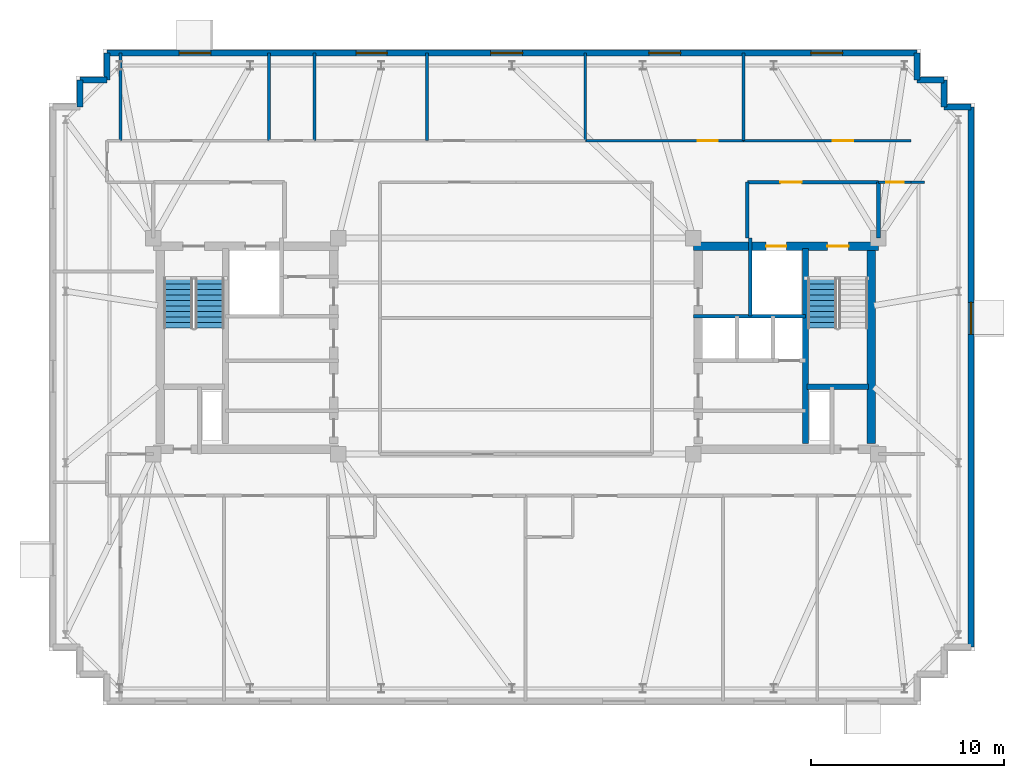
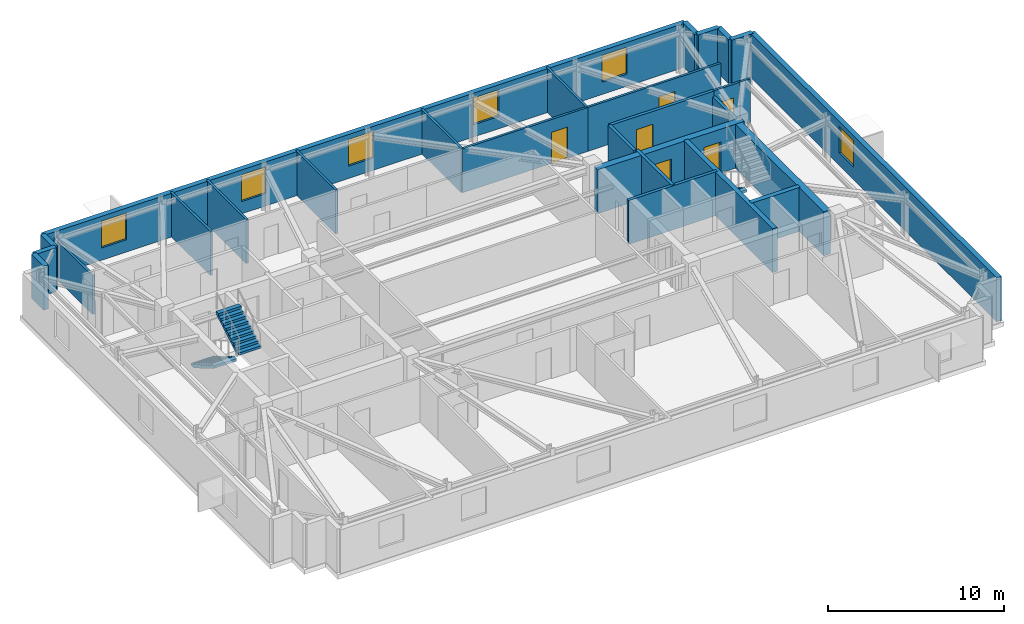
# One storey, part 8 of 11: 28 walls, 6 doors, 6 windows, 3 stair flights, 12 openings, 2 elements without a shape of their own.
"""IFC4 building model written with IfcOpenShell, lengths in metres."""

from ifc_helpers import new_model, si_unit, direction, frame, frame_2d, origin, place, context, subcontext, project, spatial, polyline, rectangle, outline, extrude, material, layer, layer_set, type_object, element, fill, aggregate, save


model = new_model("IFC4")

# Units and contexts
model_context = context("Model", 3, precision=1e-05, world=origin(), true_north=direction((0.0, 1.0)))
body_context = subcontext(model_context, "Body", "Model", "MODEL_VIEW")
ifc_project = project(units=[si_unit("LENGTHUNIT", "METRE"), si_unit("AREAUNIT", "SQUARE_METRE"), si_unit("VOLUMEUNIT", "CUBIC_METRE"), si_unit("PLANEANGLEUNIT", "RADIAN"), si_unit("MASSUNIT", "GRAM", prefix="KILO")], contexts=[model_context])

# Site, building, storey
site_placement = place(None, origin())
site = spatial("IfcSite", under=ifc_project, at=site_placement, CompositionType="ELEMENT")
building_placement = place(site_placement, origin())
building = spatial("IfcBuilding", under=site, at=building_placement, Name="Qobustan Lattice House", CompositionType="ELEMENT")
storey_placement = place(building_placement, frame((0.0, 0.0, 251.75)))
storey = spatial("IfcBuildingStorey", under=building, at=storey_placement, Name="L71", CompositionType="ELEMENT", Elevation=251.75)

# Wall, openings, doors
ifc_material_1 = material(Name="Concrete C50/60", Category="concrete")
ifc_layer_1 = layer(ifc_material_1, 0.43994140625)
ifc_layer_set_1 = layer_set([ifc_layer_1], Name="Concrete C50/60")
wall_type_1 = type_object("IfcWallType", Name="WAL-CORE-440", PredefinedType="SHEAR", material=ifc_layer_set_1)
wall_1_placement = place(storey_placement, frame((9.199951171875, 5.179931640625, 0.0), z_axis=(0.0, 0.0, 1.0), x_axis=(1.0, 0.0, 0.0)))
wall_1 = element("IfcWall", 1, at=wall_1_placement, inside=storey, type_object=wall_type_1, Name="L71 split-core shear wall CE-N", PredefinedType="SHEAR", context=body_context, shape_type="SweptSolid", body=[
    extrude(rectangle(XDim=9.60009765625, YDim=0.43994140625, at=frame_2d((4.800048828125, 0.0))), origin(), (0.0, 0.0, 1.0), 3.0400390625),
])
opening_1_placement = place(wall_1_placement, frame((6.949951171875, 0.0, 0.0)))
opening_1 = element("IfcOpeningElement", 2, at=opening_1_placement, cuts=wall_1, Name="Opening SD-01", PredefinedType="OPENING", context=body_context, shape_type="SweptSolid", body=[
    extrude(rectangle(XDim=1.10009765625, YDim=2.14990234375, at=frame_2d((0.550048828125, 1.074951171875))), frame((0.0, 0.22998046875, 0.0), z_axis=(0.0, -1.0, 0.0), x_axis=(1.0, 0.0, 0.0)), (0.0, 0.0, 1.0), 0.4599609375),
])
opening_2_placement = place(wall_1_placement, frame((3.77490234375, 0.0, 0.0)))
opening_2 = element("IfcOpeningElement", 3, at=opening_2_placement, cuts=wall_1, Name="Opening LD-01", PredefinedType="OPENING", context=body_context, shape_type="SweptSolid", body=[
    extrude(rectangle(XDim=1.050048828125, YDim=2.10009765625, at=frame_2d((0.52490234375, 1.050048828125))), frame((0.0, 0.22998046875, 0.0), z_axis=(0.0, -1.0, 0.0), x_axis=(1.0, 0.0, 0.0)), (0.0, 0.0, 1.0), 0.4599609375),
])
ifc_material_2 = material(Name="Persian walnut timber and steel frame door", Category="steel")
door_type_1 = type_object("IfcDoorType", Name="DOR-LIFT-LD-1050x2100", OperationType="NOTDEFINED", PredefinedType="DOOR", material=ifc_material_2)
door_1_placement = place(opening_2_placement, origin())
door_1 = element("IfcDoor", 4, at=door_1_placement, inside=storey, type_object=door_type_1, Name="L71 firefighting lift FF-E landing door", OperationType="DOUBLE_DOOR_SLIDING", OverallHeight=2.10009765625, OverallWidth=1.050048828125, PredefinedType="DOOR", context=body_context, shape_type="SweptSolid", body=[
    extrude(rectangle(XDim=1.050048828125, YDim=2.10009765625, at=frame_2d((0.52490234375, 1.050048828125))), frame((0.0, 0.02490234375, 0.0), z_axis=(0.0, -1.0, 0.0), x_axis=(1.0, 0.0, 0.0)), (0.0, 0.0, 1.0), 0.050048828125),
])
fill(opening_2, door_1)
ifc_material_3 = material(Name="Persian walnut timber and steel frame door", Category="steel")
door_type_2 = type_object("IfcDoorType", Name="DOR-STAIR-FD-1100x2150", OperationType="NOTDEFINED", PredefinedType="DOOR", material=ifc_material_3)
door_2_placement = place(opening_1_placement, origin())
door_2 = element("IfcDoor", 5, at=door_2_placement, inside=storey, type_object=door_type_2, Name="L71 exit stair ST-E1 fire door", OperationType="SINGLE_SWING_LEFT", OverallHeight=2.14990234375, OverallWidth=1.10009765625, PredefinedType="DOOR", context=body_context, shape_type="SweptSolid", body=[
    extrude(rectangle(XDim=1.10009765625, YDim=2.14990234375, at=frame_2d((0.550048828125, 1.074951171875))), frame((0.0, 0.02490234375, 0.0), z_axis=(0.0, -1.0, 0.0), x_axis=(1.0, 0.0, 0.0)), (0.0, 0.0, 1.0), 0.050048828125),
])
fill(opening_1, door_2)

# Walls
wall_2_placement = place(storey_placement, frame((18.429931640625, -5.050048828125, 0.0), z_axis=(0.0, 0.0, 1.0), x_axis=(0.0, 1.0, 0.0)))
element("IfcWall", 6, at=wall_2_placement, inside=storey, type_object=wall_type_1, Name="L71 split-core shear wall CE-E", PredefinedType="SHEAR", context=body_context, shape_type="SweptSolid", body=[
    extrude(rectangle(XDim=10.10009765625, YDim=0.43994140625, at=frame_2d((5.050048828125, 0.0))), origin(), (0.0, 0.0, 1.0), 3.0400390625),
])
ifc_material_4 = material(Name="Concrete C50/60", Category="concrete")
ifc_layer_2 = layer(ifc_material_4, 0.280029296875)
ifc_layer_set_2 = layer_set([ifc_layer_2], Name="Concrete C50/60")
wall_type_2 = type_object("IfcWallType", Name="WAL-CORE-SPINE-280", PredefinedType="SHEAR", material=ifc_layer_set_2)
wall_3_placement = place(storey_placement, frame((15.02001953125, -5.050048828125, 0.0), z_axis=(0.0, 0.0, 1.0), x_axis=(0.0, 1.0, 0.0)))
element("IfcWall", 7, at=wall_3_placement, inside=storey, type_object=wall_type_2, Name="L71 split-core shear wall CE-M", PredefinedType="SHEAR", context=body_context, shape_type="SweptSolid", body=[
    extrude(rectangle(XDim=10.10009765625, YDim=0.300048828125, at=frame_2d((5.050048828125, 0.0))), origin(), (0.0, 0.0, 1.0), 3.0400390625),
])
wall_4_placement = place(storey_placement, frame((15.10009765625, -2.110107421875, 0.0), z_axis=(0.0, 0.0, 1.0), x_axis=(1.0, 0.0, 0.0)))
element("IfcWall", 8, at=wall_4_placement, inside=storey, type_object=wall_type_2, Name="L71 split-core shear wall CE-ST", PredefinedType="SHEAR", context=body_context, shape_type="SweptSolid", body=[
    extrude(rectangle(XDim=3.179931640625, YDim=0.300048828125, at=frame_2d((1.58984375, 0.0))), origin(), (0.0, 0.0, 1.0), 3.0400390625),
])
ifc_material_5 = material(Name="Precast concrete C40/50", Category="concrete")
ifc_layer_3 = layer(ifc_material_5, 0.320068359375)
ifc_layer_set_3 = layer_set([ifc_layer_3], Name="Precast concrete C40/50")
wall_type_3 = type_object("IfcWallType", Name="WAL-EXT-STONE-320", PredefinedType="SOLIDWALL", material=ifc_layer_set_3)
for number, where, z_axis, x_axis, name in (
    (9, (-22.60009765625, 12.39990234375, 0.0), (0.0, 0.0, 1.0), (0.0, 1.0, 0.0), "L71 exterior limestone-clad wall 7"),
    (10, (-22.60009765625, 13.800048828125, 0.0), (0.0, 0.0, 1.0), (1.0, 0.0, 0.0), "L71 exterior limestone-clad wall 8"),
):
    element("IfcWall", number, at=place(storey_placement, frame(where, z_axis=z_axis, x_axis=x_axis)), inside=storey, type_object=wall_type_3, Name=name, PredefinedType="SOLIDWALL", context=body_context, shape_type="SweptSolid", body=[
        extrude(rectangle(XDim=1.400146484375, YDim=0.320068359375, at=frame_2d((0.7001953125, 0.0))), origin(), (0.0, 0.0, 1.0), 3.0400390625),
    ])
wall_5_placement = place(storey_placement, frame((-21.199951171875, 13.800048828125, 0.0), z_axis=(0.0, 0.0, 1.0), x_axis=(0.0, 1.0, 0.0)))
element("IfcWall", 11, at=wall_5_placement, inside=storey, type_object=wall_type_3, Name="L71 exterior limestone-clad wall 9", PredefinedType="SOLIDWALL", context=body_context, shape_type="SweptSolid", body=[
    extrude(rectangle(XDim=1.39990234375, YDim=0.320068359375, at=frame_2d((0.699951171875, 0.0))), origin(), (0.0, 0.0, 1.0), 3.0400390625),
])

# Wall, openings, windows
wall_6_placement = place(storey_placement, frame((-21.199951171875, 15.199951171875, 0.0), z_axis=(0.0, 0.0, 1.0), x_axis=(1.0, 0.0, 0.0)))
wall_6 = element("IfcWall", 12, at=wall_6_placement, inside=storey, type_object=wall_type_3, Name="L71 exterior limestone-clad wall 10", PredefinedType="SOLIDWALL", context=body_context, shape_type="SweptSolid", body=[
    extrude(rectangle(XDim=42.0, YDim=0.320068359375, at=frame_2d((21.0, 0.0))), origin(), (0.0, 0.0, 1.0), 3.0400390625),
])
opening_3_placement = place(wall_6_placement, frame((3.735107421875, 0.0, 0.85009765625)))
opening_3 = element("IfcOpeningElement", 13, at=opening_3_placement, cuts=wall_6, Name="Opening WN-09", PredefinedType="OPENING", context=body_context, shape_type="SweptSolid", body=[
    extrude(rectangle(XDim=1.64990234375, YDim=1.85009765625, at=frame_2d((0.824951171875, 0.925048828125))), frame((0.0, 0.169921875, 0.0), z_axis=(0.0, -1.0, 0.0), x_axis=(1.0, 0.0, 0.0)), (0.0, 0.0, 1.0), 0.340087890625),
])
opening_4_placement = place(wall_6_placement, frame((12.919921875, 0.0, 0.85009765625)))
opening_4 = element("IfcOpeningElement", 14, at=opening_4_placement, cuts=wall_6, Name="Opening WN-13", PredefinedType="OPENING", context=body_context, shape_type="SweptSolid", body=[
    extrude(rectangle(XDim=1.60009765625, YDim=1.85009765625, at=frame_2d((0.800048828125, 0.925048828125))), frame((0.0, 0.169921875, 0.0), z_axis=(0.0, -1.0, 0.0), x_axis=(1.0, 0.0, 0.0)), (0.0, 0.0, 1.0), 0.340087890625),
])
opening_5_placement = place(wall_6_placement, frame((19.89501953125, 0.0, 0.85009765625)))
opening_5 = element("IfcOpeningElement", 15, at=opening_5_placement, cuts=wall_6, Name="Opening WN-09", PredefinedType="OPENING", context=body_context, shape_type="SweptSolid", body=[
    extrude(rectangle(XDim=1.64990234375, YDim=1.85009765625, at=frame_2d((0.824951171875, 0.925048828125))), frame((0.0, 0.169921875, 0.0), z_axis=(0.0, -1.0, 0.0), x_axis=(1.0, 0.0, 0.0)), (0.0, 0.0, 1.0), 0.340087890625),
])
opening_6_placement = place(wall_6_placement, frame((28.094970703125, 0.0, 0.85009765625)))
opening_6 = element("IfcOpeningElement", 16, at=opening_6_placement, cuts=wall_6, Name="Opening WN-09", PredefinedType="OPENING", context=body_context, shape_type="SweptSolid", body=[
    extrude(rectangle(XDim=1.64990234375, YDim=1.85009765625, at=frame_2d((0.824951171875, 0.925048828125))), frame((0.0, 0.169921875, 0.0), z_axis=(0.0, -1.0, 0.0), x_axis=(1.0, 0.0, 0.0)), (0.0, 0.0, 1.0), 0.340087890625),
])
opening_7_placement = place(wall_6_placement, frame((36.4951171875, 0.0, 0.85009765625)))
opening_7 = element("IfcOpeningElement", 17, at=opening_7_placement, cuts=wall_6, Name="Opening WN-09", PredefinedType="OPENING", context=body_context, shape_type="SweptSolid", body=[
    extrude(rectangle(XDim=1.64990234375, YDim=1.85009765625, at=frame_2d((0.824951171875, 0.925048828125))), frame((0.0, 0.169921875, 0.0), z_axis=(0.0, -1.0, 0.0), x_axis=(1.0, 0.0, 0.0)), (0.0, 0.0, 1.0), 0.340087890625),
])
ifc_material_6 = material(Name="Double-glazed low-E aluminium window", Category="aluminium")
window_type_1 = type_object("IfcWindowType", Name="WIN-BED-1600x1850", PartitioningType="SINGLE_PANEL", PredefinedType="WINDOW", material=ifc_material_6)
window_1_placement = place(opening_4_placement, origin())
window_1 = element("IfcWindow", 18, at=window_1_placement, inside=storey, type_object=window_type_1, Name="L71 Laundry utility room window", OverallHeight=1.85009765625, OverallWidth=1.60009765625, PartitioningType="SINGLE_PANEL", PredefinedType="WINDOW", context=body_context, shape_type="SweptSolid", body=[
    extrude(rectangle(XDim=1.60009765625, YDim=1.85009765625, at=frame_2d((0.800048828125, 0.925048828125))), frame((0.0, 0.030029296875, 0.0), z_axis=(0.0, -1.0, 0.0), x_axis=(1.0, 0.0, 0.0)), (0.0, 0.0, 1.0), 0.06005859375),
])
fill(opening_4, window_1)
ifc_material_7 = material(Name="Double-glazed low-E aluminium window", Category="aluminium")
window_type_2 = type_object("IfcWindowType", Name="WIN-STU-1650x1850", PartitioningType="SINGLE_PANEL", PredefinedType="WINDOW", material=ifc_material_7)
window_2_placement = place(opening_3_placement, origin())
window_2 = element("IfcWindow", 19, at=window_2_placement, inside=storey, type_object=window_type_2, Name="L71 Focus study room N1 window", OverallHeight=1.85009765625, OverallWidth=1.64990234375, PartitioningType="SINGLE_PANEL", PredefinedType="WINDOW", context=body_context, shape_type="SweptSolid", body=[
    extrude(rectangle(XDim=1.64990234375, YDim=1.85009765625, at=frame_2d((0.824951171875, 0.925048828125))), frame((0.0, 0.030029296875, 0.0), z_axis=(0.0, -1.0, 0.0), x_axis=(1.0, 0.0, 0.0)), (0.0, 0.0, 1.0), 0.06005859375),
])
fill(opening_3, window_2)
window_3_placement = place(opening_5_placement, origin())
window_3 = element("IfcWindow", 20, at=window_3_placement, inside=storey, type_object=window_type_2, Name="L71 Focus study room N3 window", OverallHeight=1.85009765625, OverallWidth=1.64990234375, PartitioningType="SINGLE_PANEL", PredefinedType="WINDOW", context=body_context, shape_type="SweptSolid", body=[
    extrude(rectangle(XDim=1.64990234375, YDim=1.85009765625, at=frame_2d((0.824951171875, 0.925048828125))), frame((0.0, 0.030029296875, 0.0), z_axis=(0.0, -1.0, 0.0), x_axis=(1.0, 0.0, 0.0)), (0.0, 0.0, 1.0), 0.06005859375),
])
fill(opening_5, window_3)
window_4_placement = place(opening_6_placement, origin())
window_4 = element("IfcWindow", 21, at=window_4_placement, inside=storey, type_object=window_type_2, Name="L71 Focus study room N4 window", OverallHeight=1.85009765625, OverallWidth=1.64990234375, PartitioningType="SINGLE_PANEL", PredefinedType="WINDOW", context=body_context, shape_type="SweptSolid", body=[
    extrude(rectangle(XDim=1.64990234375, YDim=1.85009765625, at=frame_2d((0.824951171875, 0.925048828125))), frame((0.0, 0.030029296875, 0.0), z_axis=(0.0, -1.0, 0.0), x_axis=(1.0, 0.0, 0.0)), (0.0, 0.0, 1.0), 0.06005859375),
])
fill(opening_6, window_4)
window_5_placement = place(opening_7_placement, origin())
window_5 = element("IfcWindow", 22, at=window_5_placement, inside=storey, type_object=window_type_2, Name="L71 Focus study room N5 window", OverallHeight=1.85009765625, OverallWidth=1.64990234375, PartitioningType="SINGLE_PANEL", PredefinedType="WINDOW", context=body_context, shape_type="SweptSolid", body=[
    extrude(rectangle(XDim=1.64990234375, YDim=1.85009765625, at=frame_2d((0.824951171875, 0.925048828125))), frame((0.0, 0.030029296875, 0.0), z_axis=(0.0, -1.0, 0.0), x_axis=(1.0, 0.0, 0.0)), (0.0, 0.0, 1.0), 0.06005859375),
])
fill(opening_7, window_5)

# Walls
for number, where, z_axis, x_axis, name in (
    (23, (20.800048828125, 15.199951171875, 0.0), (0.0, 0.0, 1.0), (0.0, -1.0, 0.0), "L71 exterior limestone-clad wall 11"),
    (24, (20.800048828125, 13.800048828125, 0.0), (0.0, 0.0, 1.0), (1.0, 0.0, 0.0), "L71 exterior limestone-clad wall 12"),
):
    element("IfcWall", number, at=place(storey_placement, frame(where, z_axis=z_axis, x_axis=x_axis)), inside=storey, type_object=wall_type_3, Name=name, PredefinedType="SOLIDWALL", context=body_context, shape_type="SweptSolid", body=[
        extrude(rectangle(XDim=1.39990234375, YDim=0.320068359375, at=frame_2d((0.699951171875, 0.0))), origin(), (0.0, 0.0, 1.0), 3.0400390625),
    ])
for number, where, z_axis, x_axis, name in (
    (25, (22.199951171875, 13.800048828125, 0.0), (0.0, 0.0, 1.0), (0.0, -1.0, 0.0), "L71 exterior limestone-clad wall 13"),
    (26, (22.199951171875, 12.39990234375, 0.0), (0.0, 0.0, 1.0), (1.0, 0.0, 0.0), "L71 exterior limestone-clad wall 14"),
):
    element("IfcWall", number, at=place(storey_placement, frame(where, z_axis=z_axis, x_axis=x_axis)), inside=storey, type_object=wall_type_3, Name=name, PredefinedType="SOLIDWALL", context=body_context, shape_type="SweptSolid", body=[
        extrude(rectangle(XDim=1.400146484375, YDim=0.320068359375, at=frame_2d((0.7001953125, 0.0))), origin(), (0.0, 0.0, 1.0), 3.0400390625),
    ])

# Wall, opening, window
wall_7_placement = place(storey_placement, frame((23.60009765625, 12.39990234375, 0.0), z_axis=(0.0, 0.0, 1.0), x_axis=(0.0, -1.0, 0.0)))
wall_7 = element("IfcWall", 27, at=wall_7_placement, inside=storey, type_object=wall_type_3, Name="L71 exterior limestone-clad wall 15", PredefinedType="SOLIDWALL", context=body_context, shape_type="SweptSolid", body=[
    extrude(rectangle(XDim=28.0, YDim=0.320068359375, at=frame_2d((14.0, 0.0))), origin(), (0.0, 0.0, 1.0), 3.0400390625),
])
opening_8_placement = place(wall_7_placement, frame((10.135009765625, 0.0, 0.85009765625)))
opening_8 = element("IfcOpeningElement", 28, at=opening_8_placement, cuts=wall_7, Name="Opening WN-09", PredefinedType="OPENING", context=body_context, shape_type="SweptSolid", body=[
    extrude(rectangle(XDim=1.64990234375, YDim=1.85009765625, at=frame_2d((0.824951171875, 0.925048828125))), frame((0.0, 0.169921875, 0.0), z_axis=(0.0, -1.0, 0.0), x_axis=(1.0, 0.0, 0.0)), (0.0, 0.0, 1.0), 0.340087890625),
])
window_6_placement = place(opening_8_placement, origin())
window_6 = element("IfcWindow", 29, at=window_6_placement, inside=storey, type_object=window_type_2, Name="L71 Communal study lounge window", OverallHeight=1.85009765625, OverallWidth=1.64990234375, PartitioningType="SINGLE_PANEL", PredefinedType="WINDOW", context=body_context, shape_type="SweptSolid", body=[
    extrude(rectangle(XDim=1.64990234375, YDim=1.85009765625, at=frame_2d((0.824951171875, 0.925048828125))), frame((0.0, 0.030029296875, 0.0), z_axis=(0.0, -1.0, 0.0), x_axis=(1.0, 0.0, 0.0)), (0.0, 0.0, 1.0), 0.06005859375),
])
fill(opening_8, window_6)

# Wall, opening, door
ifc_material_8 = material(Name="Acoustic twin-stud gypsum partition", Category="gypsum")
ifc_layer_4 = layer(ifc_material_8, 0.14990234375)
ifc_layer_set_4 = layer_set([ifc_layer_4], Name="Acoustic twin-stud gypsum partition")
wall_type_4 = type_object("IfcWallType", Name="WAL-PART-150", PredefinedType="PARTITIONING", material=ifc_layer_set_4)
wall_8_placement = place(storey_placement, frame((20.5, 8.5, 0.0), z_axis=(0.0, 0.0, 1.0), x_axis=(-1.0, 0.0, 0.0)))
wall_8 = element("IfcWall", 30, at=wall_8_placement, inside=storey, type_object=wall_type_4, Name="L71 interior partition 38", PredefinedType="PARTITIONING", context=body_context, shape_type="SweptSolid", body=[
    extrude(rectangle(XDim=1.699951171875, YDim=0.14990234375, at=frame_2d((0.85009765625, 0.0))), origin(), (0.0, 0.0, 1.0), 3.0400390625),
])
opening_9_placement = place(wall_8_placement, frame((0.39990234375, 0.0, 0.0)))
opening_9 = element("IfcOpeningElement", 31, at=opening_9_placement, cuts=wall_8, Name="Opening WD-01", PredefinedType="OPENING", context=body_context, shape_type="SweptSolid", body=[
    extrude(rectangle(XDim=0.89990234375, YDim=2.10009765625, at=frame_2d((0.449951171875, 1.050048828125))), frame((0.0, 0.0849609375, 0.0), z_axis=(0.0, -1.0, 0.0), x_axis=(1.0, 0.0, 0.0)), (0.0, 0.0, 1.0), 0.169921875),
])
ifc_material_9 = material(Name="Persian walnut timber and steel frame door", Category="steel")
door_type_3 = type_object("IfcDoorType", Name="DOR-WET-900x2100", OperationType="NOTDEFINED", PredefinedType="DOOR", material=ifc_material_9)
door_3_placement = place(opening_9_placement, origin())
door_3 = element("IfcDoor", 32, at=door_3_placement, inside=storey, type_object=door_type_3, Name="L71 North-east floor corridor to Communal study lounge door", OperationType="SINGLE_SWING_RIGHT", OverallHeight=2.10009765625, OverallWidth=0.89990234375, PredefinedType="DOOR", context=body_context, shape_type="SweptSolid", body=[
    extrude(rectangle(XDim=0.89990234375, YDim=2.10009765625, at=frame_2d((0.449951171875, 1.050048828125))), frame((0.0, 0.02490234375, 0.0), z_axis=(0.0, -1.0, 0.0), x_axis=(1.0, 0.0, 0.0)), (0.0, 0.0, 1.0), 0.050048828125),
])
fill(opening_9, door_3)

# Wall
wall_9_placement = place(storey_placement, frame((21.199951171875, 8.5, 0.0), z_axis=(0.0, 0.0, 1.0), x_axis=(-1.0, 0.0, 0.0)))
element("IfcWall", 33, at=wall_9_placement, inside=storey, type_object=wall_type_4, Name="L71 interior partition 39", PredefinedType="PARTITIONING", context=body_context, shape_type="SweptSolid", body=[
    extrude(rectangle(XDim=0.699951171875, YDim=0.14990234375, at=frame_2d((0.35009765625, 0.0))), origin(), (0.0, 0.0, 1.0), 3.0400390625),
])

# Wall, opening, door
wall_10_placement = place(storey_placement, frame((3.60009765625, 10.64990234375, 0.0), z_axis=(0.0, 0.0, 1.0), x_axis=(1.0, 0.0, 0.0)))
wall_10 = element("IfcWall", 34, at=wall_10_placement, inside=storey, type_object=wall_type_4, Name="L71 interior partition 41", PredefinedType="PARTITIONING", context=body_context, shape_type="SweptSolid", body=[
    extrude(rectangle(XDim=8.199951171875, YDim=0.14990234375, at=frame_2d((4.10009765625, 0.0))), origin(), (0.0, 0.0, 1.0), 3.0400390625),
])
opening_10_placement = place(wall_10_placement, frame((5.8212890625, 0.0, 0.0)))
opening_10 = element("IfcOpeningElement", 35, at=opening_10_placement, cuts=wall_10, Name="Opening ID-02", PredefinedType="OPENING", context=body_context, shape_type="SweptSolid", body=[
    extrude(rectangle(XDim=1.050048828125, YDim=2.14990234375, at=frame_2d((0.52490234375, 1.074951171875))), frame((0.0, 0.0849609375, 0.0), z_axis=(0.0, -1.0, 0.0), x_axis=(1.0, 0.0, 0.0)), (0.0, 0.0, 1.0), 0.169921875),
])
ifc_material_10 = material(Name="Persian walnut timber and steel frame door", Category="steel")
door_type_4 = type_object("IfcDoorType", Name="DOR-STUDY-1050x2150", OperationType="NOTDEFINED", PredefinedType="DOOR", material=ifc_material_10)
door_4_placement = place(opening_10_placement, origin())
door_4 = element("IfcDoor", 36, at=door_4_placement, inside=storey, type_object=door_type_4, Name="L71 North-east floor corridor to Focus study room N4 door", OperationType="SINGLE_SWING_LEFT", OverallHeight=2.14990234375, OverallWidth=1.050048828125, PredefinedType="DOOR", context=body_context, shape_type="SweptSolid", body=[
    extrude(rectangle(XDim=1.050048828125, YDim=2.14990234375, at=frame_2d((0.52490234375, 1.074951171875))), frame((0.0, 0.02490234375, 0.0), z_axis=(0.0, -1.0, 0.0), x_axis=(1.0, 0.0, 0.0)), (0.0, 0.0, 1.0), 0.050048828125),
])
fill(opening_10, door_4)

wall_11_placement = place(storey_placement, frame((11.800048828125, 10.64990234375, 0.0), z_axis=(0.0, 0.0, 1.0), x_axis=(1.0, 0.0, 0.0)))
wall_11 = element("IfcWall", 37, at=wall_11_placement, inside=storey, type_object=wall_type_4, Name="L71 interior partition 42", PredefinedType="PARTITIONING", context=body_context, shape_type="SweptSolid", body=[
    extrude(rectangle(XDim=8.699951171875, YDim=0.14990234375, at=frame_2d((4.35009765625, 0.0))), origin(), (0.0, 0.0, 1.0), 3.0400390625),
])
opening_11_placement = place(wall_11_placement, frame((4.63623046875, 0.0, 0.0)))
opening_11 = element("IfcOpeningElement", 38, at=opening_11_placement, cuts=wall_11, Name="Opening ID-02", PredefinedType="OPENING", context=body_context, shape_type="SweptSolid", body=[
    extrude(rectangle(XDim=1.050048828125, YDim=2.14990234375, at=frame_2d((0.52490234375, 1.074951171875))), frame((0.0, 0.0849609375, 0.0), z_axis=(0.0, -1.0, 0.0), x_axis=(1.0, 0.0, 0.0)), (0.0, 0.0, 1.0), 0.169921875),
])
door_5_placement = place(opening_11_placement, origin())
door_5 = element("IfcDoor", 39, at=door_5_placement, inside=storey, type_object=door_type_4, Name="L71 North-east floor corridor to Focus study room N5 door", OperationType="SINGLE_SWING_RIGHT", OverallHeight=2.14990234375, OverallWidth=1.050048828125, PredefinedType="DOOR", context=body_context, shape_type="SweptSolid", body=[
    extrude(rectangle(XDim=1.050048828125, YDim=2.14990234375, at=frame_2d((0.52490234375, 1.074951171875))), frame((0.0, 0.02490234375, 0.0), z_axis=(0.0, -1.0, 0.0), x_axis=(1.0, 0.0, 0.0)), (0.0, 0.0, 1.0), 0.050048828125),
])
fill(opening_11, door_5)

# Walls
wall_12_placement = place(storey_placement, frame((-20.5, 15.199951171875, 0.0), z_axis=(0.0, 0.0, 1.0), x_axis=(0.0, -1.0, 0.0)))
element("IfcWall", 40, at=wall_12_placement, inside=storey, type_object=wall_type_4, Name="L71 interior partition 69", PredefinedType="PARTITIONING", context=body_context, shape_type="SweptSolid", body=[
    extrude(rectangle(XDim=4.550048828125, YDim=0.14990234375, at=frame_2d((2.27490234375, 0.0))), origin(), (0.0, 0.0, 1.0), 2.6650390625),
])
for number, where, z_axis, x_axis, name in (
    (41, (-4.60009765625, 15.199951171875, 0.0), (0.0, 0.0, 1.0), (0.0, -1.0, 0.0), "L71 interior partition 72"),
    (42, (3.60009765625, 15.199951171875, 0.0), (0.0, 0.0, 1.0), (0.0, -1.0, 0.0), "L71 interior partition 73"),
    (43, (11.800048828125, 15.199951171875, 0.0), (0.0, 0.0, 1.0), (0.0, -1.0, 0.0), "L71 interior partition 74"),
):
    element("IfcWall", number, at=place(storey_placement, frame(where, z_axis=z_axis, x_axis=x_axis)), inside=storey, type_object=wall_type_4, Name=name, PredefinedType="PARTITIONING", context=body_context, shape_type="SweptSolid", body=[
        extrude(rectangle(XDim=4.550048828125, YDim=0.14990234375, at=frame_2d((2.27490234375, 0.0))), origin(), (0.0, 0.0, 1.0), 3.0400390625),
    ])

# Wall, opening, door
ifc_material_11 = material(Name="Two-hour gypsum fireboard acoustic partition", Category="gypsum")
ifc_layer_5 = layer(ifc_material_11, 0.199951171875)
ifc_layer_set_5 = layer_set([ifc_layer_5], Name="Two-hour gypsum fireboard acoustic partition")
wall_type_5 = type_object("IfcWallType", Name="WAL-PROT-200", PredefinedType="PARTITIONING", material=ifc_layer_set_5)
wall_13_placement = place(storey_placement, frame((18.800048828125, 8.5, 0.0), z_axis=(0.0, 0.0, 1.0), x_axis=(-1.0, 0.0, 0.0)))
wall_13 = element("IfcWall", 44, at=wall_13_placement, inside=storey, type_object=wall_type_5, Name="L71 interior partition 17", PredefinedType="PARTITIONING", context=body_context, shape_type="SweptSolid", body=[
    extrude(rectangle(XDim=6.800048828125, YDim=0.199951171875, at=frame_2d((3.39990234375, 0.0))), origin(), (0.0, 0.0, 1.0), 3.0400390625),
])
opening_12_placement = place(wall_13_placement, frame((3.985107421875, 0.0, 0.0)))
opening_12 = element("IfcOpeningElement", 45, at=opening_12_placement, cuts=wall_13, Name="Opening SD-01", PredefinedType="OPENING", context=body_context, shape_type="SweptSolid", body=[
    extrude(rectangle(XDim=1.10009765625, YDim=2.14990234375, at=frame_2d((0.550048828125, 1.074951171875))), frame((0.0, 0.10986328125, 0.0), z_axis=(0.0, -1.0, 0.0), x_axis=(1.0, 0.0, 0.0)), (0.0, 0.0, 1.0), 0.219970703125),
])
door_6_placement = place(opening_12_placement, origin())
door_6 = element("IfcDoor", 46, at=door_6_placement, inside=storey, type_object=door_type_2, Name="L71 East firefighting lift lobby to North-east floor corridor door", OperationType="SINGLE_SWING_RIGHT", OverallHeight=2.14990234375, OverallWidth=1.10009765625, PredefinedType="DOOR", context=body_context, shape_type="SweptSolid", body=[
    extrude(rectangle(XDim=1.10009765625, YDim=2.14990234375, at=frame_2d((0.550048828125, 1.074951171875))), frame((0.0, 0.02490234375, 0.0), z_axis=(0.0, -1.0, 0.0), x_axis=(1.0, 0.0, 0.0)), (0.0, 0.0, 1.0), 0.050048828125),
])
fill(opening_12, door_6)

# Walls
wall_14_placement = place(storey_placement, frame((12.0, 8.5, 0.0), z_axis=(0.0, 0.0, 1.0), x_axis=(0.0, -1.0, 0.0)))
element("IfcWall", 47, at=wall_14_placement, inside=storey, type_object=wall_type_5, Name="L71 interior partition 18", PredefinedType="PARTITIONING", context=body_context, shape_type="SweptSolid", body=[
    extrude(rectangle(XDim=2.89990234375, YDim=0.199951171875, at=frame_2d((1.449951171875, 0.0))), origin(), (0.0, 0.0, 1.0), 3.0400390625),
])
wall_15_placement = place(storey_placement, frame((18.800048828125, 5.60009765625, 0.0), z_axis=(0.0, 0.0, 1.0), x_axis=(0.0, 1.0, 0.0)))
element("IfcWall", 48, at=wall_15_placement, inside=storey, type_object=wall_type_5, Name="L71 interior partition 19", PredefinedType="PARTITIONING", context=body_context, shape_type="SweptSolid", body=[
    extrude(rectangle(XDim=2.89990234375, YDim=0.199951171875, at=frame_2d((1.449951171875, 0.0))), origin(), (0.0, 0.0, 1.0), 2.6650390625),
])
ifc_material_12 = material(Name="Concrete C40/50", Category="concrete")
ifc_layer_6 = layer(ifc_material_12, 0.199951171875)
ifc_layer_set_6 = layer_set([ifc_layer_6], Name="Concrete C40/50")
wall_type_6 = type_object("IfcWallType", Name="WAL-SHAFT-200", PredefinedType="PARTITIONING", material=ifc_layer_set_6)
wall_16_placement = place(storey_placement, frame((12.14990234375, 5.60009765625, 0.0), z_axis=(0.0, 0.0, 1.0), x_axis=(0.0, -1.0, 0.0)))
element("IfcWall", 49, at=wall_16_placement, inside=storey, type_object=wall_type_6, Name="L71 interior partition 16", PredefinedType="PARTITIONING", context=body_context, shape_type="SweptSolid", body=[
    extrude(rectangle(XDim=4.050048828125, YDim=0.199951171875, at=frame_2d((2.02490234375, 0.0))), origin(), (0.0, 0.0, 1.0), 3.0400390625),
])
wall_17_placement = place(storey_placement, frame((9.199951171875, 1.550048828125, 0.0), z_axis=(0.0, 0.0, 1.0), x_axis=(1.0, 0.0, 0.0)))
element("IfcWall", 50, at=wall_17_placement, inside=storey, type_object=wall_type_6, Name="L71 interior partition 88", PredefinedType="PARTITIONING", context=body_context, shape_type="SweptSolid", body=[
    extrude(rectangle(XDim=5.820068359375, YDim=0.199951171875, at=frame_2d((2.91015625, 0.0))), origin(), (0.0, 0.0, 1.0), 3.0400390625),
])
ifc_material_13 = material(Name="Moisture-resistant acoustic plumbing wall", Category="gypsum")
ifc_layer_7 = layer(ifc_material_13, 0.14990234375)
ifc_layer_set_7 = layer_set([ifc_layer_7], Name="Moisture-resistant acoustic plumbing wall")
wall_type_7 = type_object("IfcWallType", Name="WAL-WET-150", PredefinedType="PLUMBINGWALL", material=ifc_layer_set_7)
for number, where, z_axis, x_axis, name in (
    (51, (-12.800048828125, 15.199951171875, 0.0), (0.0, 0.0, 1.0), (0.0, -1.0, 0.0), "L71 interior partition 70"),
    (52, (-10.449951171875, 15.199951171875, 0.0), (0.0, 0.0, 1.0), (0.0, -1.0, 0.0), "L71 interior partition 71"),
):
    element("IfcWall", number, at=place(storey_placement, frame(where, z_axis=z_axis, x_axis=x_axis)), inside=storey, type_object=wall_type_7, Name=name, PredefinedType="PLUMBINGWALL", context=body_context, shape_type="SweptSolid", body=[
        extrude(rectangle(XDim=4.550048828125, YDim=0.14990234375, at=frame_2d((2.27490234375, 0.0))), origin(), (0.0, 0.0, 1.0), 3.0400390625),
    ])

# Stair, stair flights
ifc_material_14 = material(Name="Concrete C40/50", Category="concrete")
stair_type = type_object("IfcStairType", Name="STR-CORE-DOGLEG", PredefinedType="HALF_TURN_STAIR", material=ifc_material_14)
stair_1_placement = place(storey_placement, origin())
stair_1 = element("IfcStair", 53, at=stair_1_placement, inside=storey, type_object=stair_type, Name="L71 West protected exit stair ST-W1", PredefinedType="HALF_TURN_STAIR")
ifc_material_15 = material(Name="Concrete C40/50", Category="concrete")
stair_flight_type = type_object("IfcStairFlightType", Name="SFL-RC-1500", PredefinedType="STRAIGHT", material=ifc_material_15)
stair_flight_1_placement = place(storey_placement, frame((-17.5, 3.5, 0.0), z_axis=(0.0, 0.0, 1.0), x_axis=(0.0, -1.0, 0.0)))
stair_flight_1 = element("IfcStairFlight", 54, at=stair_flight_1_placement, type_object=stair_flight_type, Name="ST-W1 flight 1", NumberOfRisers=10, NumberOfTreads=9, PredefinedType="STRAIGHT", RiserHeight=0.1675, TreadLength=0.285, context=body_context, shape_type="SweptSolid", body=[
    extrude(outline(polyline([(0.0, 0.0), (0.0, 0.16748046875), (0.284912109375, 0.16748046875), (0.284912109375, 0.3349609375), (0.570068359375, 0.3349609375), (0.570068359375, 0.50244140625), (0.85498046875, 0.50244140625), (0.85498046875, 0.669921875), (1.139892578125, 0.669921875), (1.139892578125, 0.83740234375), (1.425048828125, 0.83740234375), (1.425048828125, 1.0048828125), (1.7099609375, 1.0048828125), (1.7099609375, 1.172607421875), (1.9951171875, 1.172607421875), (1.9951171875, 1.340087890625), (2.280029296875, 1.340087890625), (2.280029296875, 1.507568359375), (2.56494140625, 1.507568359375), (2.56494140625, 1.675048828125), (2.56494140625, 1.333740234375), (0.2958984375, 0.0), (0.0, 0.0)])), frame((0.0, 0.75, 0.0), z_axis=(0.0, -1.0, 0.0), x_axis=(1.0, 0.0, 0.0)), (0.0, 0.0, 1.0), 1.5),
])
stair_flight_2_placement = place(storey_placement, frame((-15.8798828125, 0.93505859375, 1.675048828125), z_axis=(0.0, 0.0, 1.0), x_axis=(0.0, 1.0, 0.0)))
stair_flight_2 = element("IfcStairFlight", 55, at=stair_flight_2_placement, type_object=stair_flight_type, Name="ST-W1 flight 2", NumberOfRisers=10, NumberOfTreads=9, PredefinedType="STRAIGHT", RiserHeight=0.1675, TreadLength=0.285, context=body_context, shape_type="SweptSolid", body=[
    extrude(outline(polyline([(0.0, 0.0), (0.0, 0.16748046875), (0.284912109375, 0.16748046875), (0.284912109375, 0.3349609375), (0.570068359375, 0.3349609375), (0.570068359375, 0.50244140625), (0.85498046875, 0.50244140625), (0.85498046875, 0.669921875), (1.139892578125, 0.669921875), (1.139892578125, 0.83740234375), (1.425048828125, 0.83740234375), (1.425048828125, 1.0048828125), (1.7099609375, 1.0048828125), (1.7099609375, 1.172607421875), (1.9951171875, 1.172607421875), (1.9951171875, 1.340087890625), (2.280029296875, 1.340087890625), (2.280029296875, 1.507568359375), (2.56494140625, 1.507568359375), (2.56494140625, 1.675048828125), (2.56494140625, 1.333740234375), (0.2958984375, 0.0), (0.0, 0.0)])), frame((0.0, 0.75, 0.0), z_axis=(0.0, -1.0, 0.0), x_axis=(1.0, 0.0, 0.0)), (0.0, 0.0, 1.0), 1.5),
])
aggregate(stair_1, [stair_flight_1, stair_flight_2])

# Stair, stair flight
stair_2_placement = place(storey_placement, origin())
stair_2 = element("IfcStair", 56, at=stair_2_placement, inside=storey, type_object=stair_type, Name="L71 East protected exit stair ST-E1", PredefinedType="HALF_TURN_STAIR")
stair_flight_3_placement = place(storey_placement, frame((15.8798828125, 3.5, 0.0), z_axis=(0.0, 0.0, 1.0), x_axis=(0.0, -1.0, 0.0)))
stair_flight_3 = element("IfcStairFlight", 57, at=stair_flight_3_placement, type_object=stair_flight_type, Name="ST-E1 flight 1", NumberOfRisers=10, NumberOfTreads=9, PredefinedType="STRAIGHT", RiserHeight=0.1675, TreadLength=0.285, context=body_context, shape_type="SweptSolid", body=[
    extrude(outline(polyline([(0.0, 0.0), (0.0, 0.16748046875), (0.284912109375, 0.16748046875), (0.284912109375, 0.3349609375), (0.570068359375, 0.3349609375), (0.570068359375, 0.50244140625), (0.85498046875, 0.50244140625), (0.85498046875, 0.669921875), (1.139892578125, 0.669921875), (1.139892578125, 0.83740234375), (1.425048828125, 0.83740234375), (1.425048828125, 1.0048828125), (1.7099609375, 1.0048828125), (1.7099609375, 1.172607421875), (1.9951171875, 1.172607421875), (1.9951171875, 1.340087890625), (2.280029296875, 1.340087890625), (2.280029296875, 1.507568359375), (2.56494140625, 1.507568359375), (2.56494140625, 1.675048828125), (2.56494140625, 1.333740234375), (0.2958984375, 0.0), (0.0, 0.0)])), frame((0.0, 0.75, 0.0), z_axis=(0.0, -1.0, 0.0), x_axis=(1.0, 0.0, 0.0)), (0.0, 0.0, 1.0), 1.5),
])
aggregate(stair_2, [stair_flight_3])

save(model, "model.ifc")
